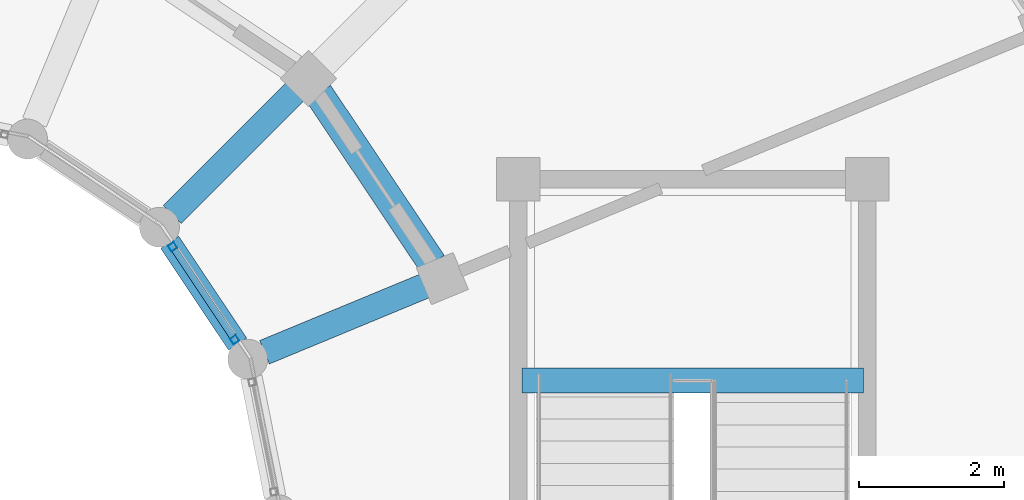
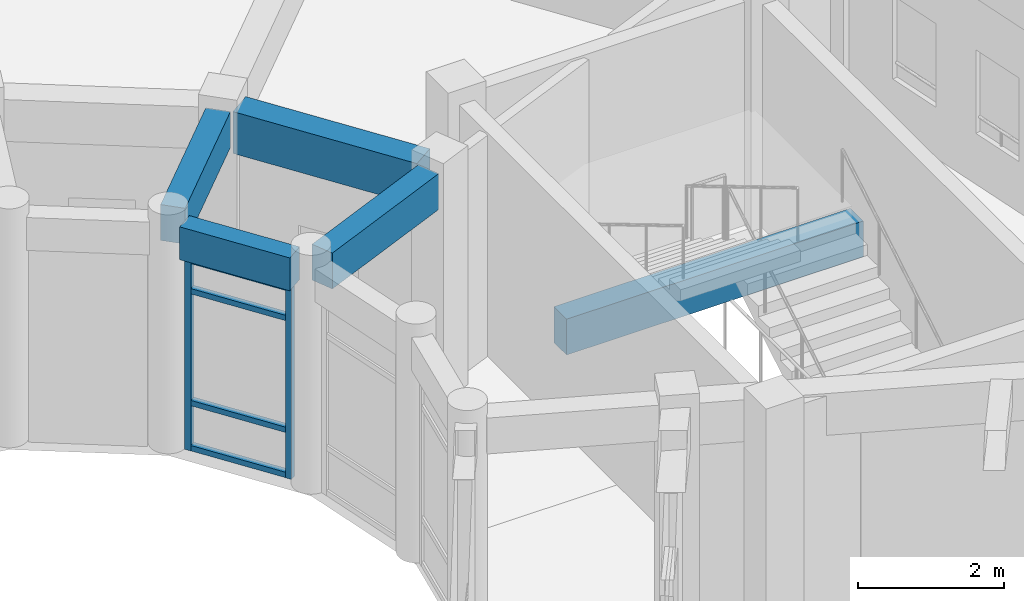
# One storey, part 15 of 112: 6 members, 5 beams, 1 element without a shape of its own.
"""IFC4 building model written with IfcOpenShell, lengths in metres."""

import ifcopenshell
import ifcopenshell.guid

model = None  # the IFC model being written
_history = None  # IfcOwnerHistory: only IFC2X3 demands one
_inside = {}  # id of a spatial element -> (the spatial element, [elements in it])
_under = {}  # id of a project, library or spatial element -> (it, [spatial elements below it])
_declared = {}  # id of a project -> (the project, [libraries it declares])
_typed = {}  # id of a type object -> (the type object, [elements of that type])
_made_of = {}  # id of a material, layer set ... -> (it, [elements and type objects made of it])


def new_model(schema):
    """Start an empty IFC model of exactly this schema.

    Asked for "IFC4X3", IfcOpenShell would pick the latest addendum, in which some entities
    have other attributes; the version numbers below select the first issue.
    IFC2X3 requires an IfcOwnerHistory on every rooted entity: one is made here for all.
    """
    global model, _history
    if schema == "IFC4X3":
        model = ifcopenshell.file(schema_version=(4, 3, 0, 0))
    else:
        model = ifcopenshell.file(schema=schema)
    _inside.clear()
    _under.clear()
    _declared.clear()
    _typed.clear()
    _made_of.clear()
    _history = None
    if model.schema == "IFC2X3":
        org = make("IfcOrganization", Name="unknown")
        user = make(
            "IfcPersonAndOrganization",
            ThePerson=make("IfcPerson", FamilyName="unknown"),
            TheOrganization=org,
        )
        app = make(
            "IfcApplication",
            ApplicationDeveloper=org,
            Version="unknown",
            ApplicationFullName="unknown",
            ApplicationIdentifier="unknown",
        )
        _history = make(
            "IfcOwnerHistory",
            OwningUser=user,
            OwningApplication=app,
            ChangeAction="ADDED",
            CreationDate=0,
        )
    return model


def make(cls, **values):
    """One entity of the class cls with the attributes given. An attribute that is None is left unset."""
    return model.create_entity(
        cls, **{name: value for name, value in values.items() if value is not None}
    )


def rooted(cls, **values):
    """An entity with a GlobalId (a new one), such as an element, a storey or a relation."""
    return make(cls, GlobalId=ifcopenshell.guid.new(), OwnerHistory=_history, **values)


def si_unit(unit_type, name, prefix=None):
    """IfcSIUnit, for example si_unit("LENGTHUNIT", "METRE", prefix="MILLI")."""
    return make("IfcSIUnit", UnitType=unit_type, Prefix=prefix, Name=name)


def assignment(units):
    """IfcUnitAssignment: the units of a project."""
    return None if units is None else make("IfcUnitAssignment", Units=units)


def point(xyz):
    """IfcCartesianPoint."""
    return None if xyz is None else make("IfcCartesianPoint", Coordinates=xyz)


def direction(xyz):
    """IfcDirection."""
    return None if xyz is None else make("IfcDirection", DirectionRatios=xyz)


def frame(location, z_axis=None, x_axis=None):
    """IfcAxis2Placement3D, a coordinate frame: its origin and axes. An axis left out is left unset."""
    return make(
        "IfcAxis2Placement3D",
        Location=point(location),
        Axis=direction(z_axis),
        RefDirection=direction(x_axis),
    )


def frame_2d(location, x_axis=None):
    """IfcAxis2Placement2D, a coordinate frame in the plane: its origin and x axis."""
    return make(
        "IfcAxis2Placement2D", Location=point(location), RefDirection=direction(x_axis)
    )


def origin():
    """The frame at (0, 0, 0) with its axes left unset."""
    return frame((0.0, 0.0, 0.0))


def origin_2d():
    """The frame at (0, 0) in the plane with its x axis left unset."""
    return frame_2d((0.0, 0.0))


def place(relative_to, where):
    """IfcLocalPlacement: puts the frame where relative to a parent placement (None: the world)."""
    return make(
        "IfcLocalPlacement", PlacementRelTo=relative_to, RelativePlacement=where
    )


def context(
    kind, dimensions, precision=None, world=None, true_north=None, identifier=None
):
    """IfcGeometricRepresentationContext, for example the 3D "Model" context."""
    return make(
        "IfcGeometricRepresentationContext",
        ContextIdentifier=identifier,
        ContextType=kind,
        CoordinateSpaceDimension=dimensions,
        Precision=precision,
        WorldCoordinateSystem=world,
        TrueNorth=true_north,
    )


def subcontext(parent, identifier, kind, view, scale=None):
    """IfcGeometricRepresentationSubContext, for example "Body" below "Model"."""
    return make(
        "IfcGeometricRepresentationSubContext",
        ContextIdentifier=identifier,
        ContextType=kind,
        ParentContext=parent,
        TargetScale=scale,
        TargetView=view,
    )


def project(units=None, contexts=None):
    """IfcProject with its units and contexts."""
    return rooted(
        "IfcProject",
        Name="project",
        RepresentationContexts=contexts,
        UnitsInContext=assignment(units),
    )


def spatial(cls, under=None, at=None, **own):
    """A site, building, storey or space (cls), placed at a placement, below another one or the project."""
    s = rooted(cls, ObjectPlacement=at, **own)
    if under is not None:
        _under.setdefault(under.id(), (under, []))[1].append(s)
    return s


def profile(cls, at=None, kind="AREA", **sizes):
    """A parametric profile (cls). Its sizes go by their IFC names, for example OverallWidth=200.0."""
    return make(cls, ProfileType=kind, Position=at, **sizes)


def rectangle(**sizes):
    """IfcRectangleProfileDef."""
    return profile("IfcRectangleProfileDef", **sizes)


def hollow_rectangle(**sizes):
    """IfcRectangleHollowProfileDef."""
    return profile("IfcRectangleHollowProfileDef", **sizes)


def extrude(swept, where, along, depth):
    """IfcExtrudedAreaSolid: the profile swept, set in the frame where, extruded along a direction by depth."""
    return make(
        "IfcExtrudedAreaSolid",
        SweptArea=swept,
        Position=where,
        ExtrudedDirection=direction(along),
        Depth=depth,
    )


def shape(context_of_items, identifier, shape_type, items):
    """IfcShapeRepresentation: the items that make up one representation, for example the "Body"."""
    return make(
        "IfcShapeRepresentation",
        ContextOfItems=context_of_items,
        RepresentationIdentifier=identifier,
        RepresentationType=shape_type,
        Items=items,
    )


def material(Name=None, Category=None):
    """IfcMaterial."""
    return make("IfcMaterial", Name=Name, Category=Category)


def material_profile(
    of_material, cross_section, Name=None, Category=None, Priority=None
):
    """IfcMaterialProfile: a cross section and its material."""
    return make(
        "IfcMaterialProfile",
        Name=Name,
        Material=of_material,
        Profile=cross_section,
        Priority=Priority,
        Category=Category,
    )


def profile_set(profiles, Name=None, composite=None):
    """IfcMaterialProfileSet."""
    return make(
        "IfcMaterialProfileSet",
        Name=Name,
        MaterialProfiles=profiles,
        CompositeProfile=composite,
    )


def made_of(thing, what):
    """Note that an element or type object is made of a material, layer set ...; save() writes the relation."""
    if what is not None:
        _made_of.setdefault(what.id(), (what, []))[1].append(thing)
    return thing


def type_object(cls, material=None, **own):
    """A type object (cls), such as IfcWallType, which elements share."""
    return made_of(rooted(cls, **own), material)


def element(
    cls,
    number,
    at=None,
    inside=None,
    cuts=None,
    type_object=None,
    material=None,
    context=None,
    identifier="Body",
    shape_type=None,
    held_by="IfcProductDefinitionShape",
    body=None,
    shapes=None,
    **own,
):
    """One element of the class cls, such as IfcWall. Its Tag is "e" and its number.

    at: its placement. inside: the storey or other place that contains it. cuts: it is an
    opening in that element (IfcRelVoidsElement). A single representation is given by context,
    identifier, shape_type and body (its items); several are given by shapes. held_by: the class
    of the entity that holds the representations. save() writes the other relations.
    """
    e = rooted(cls, Tag="e%d" % number, ObjectPlacement=at, **own)
    if body is not None:
        shapes = [shape(context, identifier, shape_type, body)]
    if shapes is not None:
        e.Representation = make(held_by, Representations=shapes)
    if inside is not None:
        _inside.setdefault(inside.id(), (inside, []))[1].append(e)
    if cuts is not None:
        rooted(
            "IfcRelVoidsElement", RelatingBuildingElement=cuts, RelatedOpeningElement=e
        )
    if type_object is not None:
        _typed.setdefault(type_object.id(), (type_object, []))[1].append(e)
    return made_of(e, material)


def aggregate(whole, parts):
    """IfcRelAggregates: a whole, such as a stair, and the parts it consists of."""
    return rooted("IfcRelAggregates", RelatingObject=whole, RelatedObjects=parts)


def save(model, path):
    """Write the relations noted so far, then the file.

    IfcRelAggregates (storeys below a building ...), IfcRelContainedInSpatialStructure (elements
    in a storey), IfcRelDefinesByType, IfcRelAssociatesMaterial and IfcRelDeclares: one each for
    every whole, place, type object, material and project.
    """
    for whole, parts in _under.values():
        aggregate(whole, parts)
    for where, things in _inside.values():
        rooted(
            "IfcRelContainedInSpatialStructure",
            RelatedElements=things,
            RelatingStructure=where,
        )
    for kind, things in _typed.values():
        rooted("IfcRelDefinesByType", RelatedObjects=things, RelatingType=kind)
    for what, things in _made_of.values():
        rooted("IfcRelAssociatesMaterial", RelatedObjects=things, RelatingMaterial=what)
    for by, libraries in _declared.values():
        rooted("IfcRelDeclares", RelatingContext=by, RelatedDefinitions=libraries)
    model.write(path)


model = new_model("IFC4")

# Units and contexts
model_context = context("Model", 3, precision=1e-05, world=origin(), true_north=direction((0.0, 1.0)))
body_context = subcontext(model_context, "Body", "Model", "MODEL_VIEW")
ifc_project = project(units=[si_unit("LENGTHUNIT", "METRE"), si_unit("AREAUNIT", "SQUARE_METRE"), si_unit("VOLUMEUNIT", "CUBIC_METRE"), si_unit("PLANEANGLEUNIT", "RADIAN"), si_unit("MASSUNIT", "GRAM", prefix="KILO")], contexts=[model_context])

# Site, building, storey
site_placement = place(None, origin())
site = spatial("IfcSite", under=ifc_project, at=site_placement, CompositionType="ELEMENT")
building_placement = place(site_placement, origin())
building = spatial("IfcBuilding", under=site, at=building_placement, Name="Celadon Cloister-Ring School", CompositionType="ELEMENT")
storey_placement = place(building_placement, frame((0.0, 0.0, 8.5)))
storey = spatial("IfcBuildingStorey", under=building, at=storey_placement, Name="L02", CompositionType="ELEMENT", Elevation=8.5)

# Beams
ifc_material_1 = material(Name="Concrete C35/45", Category="concrete")
ifc_material_profile_1 = material_profile(ifc_material_1, rectangle(XDim=0.35009765625, YDim=0.60009765625, at=origin_2d()), Name="RC350X600")
ifc_profile_set_1 = profile_set([ifc_material_profile_1], Name="Concrete C35/45")
beam_type_1 = type_object("IfcBeamType", Name="BT-02", PredefinedType="BEAM", material=ifc_profile_set_1)
beam_1_placement = place(storey_placement, frame((27.822021484375, 23.156982421875, 3.47998046875), z_axis=(-0.923932522988, -0.382555476978, 0.0), x_axis=(0.382555476978, -0.923932522988, 0.0)))
element("IfcBeam", 1, at=beam_1_placement, inside=storey, type_object=beam_type_1, Name="Beam 0998", PredefinedType="BEAM", context=body_context, shape_type="SweptSolid", body=[
    extrude(rectangle(XDim=0.35009765625, YDim=0.60009765625, at=origin_2d()), origin(), (0.0, 0.0, 1.0), 2.399658203125),
])
beam_2_placement = place(storey_placement, frame((26.032958984375, 25.8330078125, 3.47998046875), z_axis=(-0.707106781187, -0.707106781187, 0.0), x_axis=(0.707106781187, -0.707106781187, 0.0)))
element("IfcBeam", 2, at=beam_2_placement, inside=storey, type_object=beam_type_1, Name="Beam 1000", PredefinedType="BEAM", context=body_context, shape_type="SweptSolid", body=[
    extrude(rectangle(XDim=0.35009765625, YDim=0.60009765625, at=origin_2d()), origin(), (0.0, 0.0, 1.0), 2.398681640625),
])
beam_3_placement = place(storey_placement, frame((29.14990234375, 21.85009765625, 1.39990234375), z_axis=(1.0, 0.0, 0.0), x_axis=(0.0, 1.0, 0.0)))
element("IfcBeam", 3, at=beam_3_placement, inside=storey, type_object=beam_type_1, Name="Stair Landing Beam 1736", PredefinedType="BEAM", context=body_context, shape_type="SweptSolid", body=[
    extrude(rectangle(XDim=0.35009765625, YDim=0.60009765625, at=origin_2d()), origin(), (0.0, 0.0, 1.0), 4.7001953125),
])

# Curtain wall, members
ifc_material_2 = material(Name="Aluminium EN AW-6063 T6", Category="aluminium")
curtain_wall_type = type_object("IfcCurtainWallType", Name="CW-04", PredefinedType="USERDEFINED", material=ifc_material_2)
curtain_wall_placement = place(storey_placement, origin())
curtain_wall = element("IfcCurtainWall", 4, at=curtain_wall_placement, inside=storey, type_object=curtain_wall_type, Name="Curtain Wall 0152", ObjectType="CURTAIN WALL", PredefinedType="USERDEFINED")
ifc_material_3 = material(Name="Aluminium EN AW-6063 T6", Category="aluminium")
ifc_material_profile_2 = material_profile(ifc_material_3, hollow_rectangle(XDim=0.094970703125, YDim=0.094970703125, WallThickness=0.00390625, at=origin_2d()), Name="RHS95X95X4")
ifc_profile_set_2 = profile_set([ifc_material_profile_2], Name="Aluminium EN AW-6063 T6")
member_type_1 = type_object("IfcMemberType", Name="CM-02", PredefinedType="MULLION", material=ifc_profile_set_2)
member_1_placement = place(storey_placement, frame((25.194580078125, 22.411376953125, 0.0), z_axis=(0.0, 0.0, 1.0), x_axis=(-0.831485091394, -0.555547066224, 0.0)))
member_1 = element("IfcMember", 5, at=member_1_placement, type_object=member_type_1, Name="CW-04 mullion 1", PredefinedType="MULLION", context=body_context, shape_type="SweptSolid", body=[
    extrude(hollow_rectangle(XDim=0.094970703125, YDim=0.094970703125, WallThickness=0.00390625, at=origin_2d()), origin(), (0.0, 0.0, 1.0), 3.221923828125),
])
member_2_placement = place(storey_placement, frame((24.33935546875, 23.69140625, 0.0), z_axis=(0.0, 0.0, 1.0), x_axis=(-0.831485091394, -0.555547066224, 0.0)))
member_2 = element("IfcMember", 6, at=member_2_placement, type_object=member_type_1, Name="CW-04 mullion 2", PredefinedType="MULLION", context=body_context, shape_type="SweptSolid", body=[
    extrude(hollow_rectangle(XDim=0.094970703125, YDim=0.094970703125, WallThickness=0.00390625, at=origin_2d()), origin(), (0.0, 0.0, 1.0), 3.221923828125),
])
ifc_material_4 = material(Name="Aluminium EN AW-6063 T6", Category="aluminium")
ifc_material_profile_3 = material_profile(ifc_material_4, hollow_rectangle(XDim=0.090087890625, YDim=0.090087890625, WallThickness=0.00390625, at=origin_2d()), Name="RHS90X90X4")
ifc_profile_set_3 = profile_set([ifc_material_profile_3], Name="Aluminium EN AW-6063 T6")
member_type_2 = type_object("IfcMemberType", Name="CTM-02", PredefinedType="USERDEFINED", material=ifc_profile_set_3)
member_3_placement = place(storey_placement, frame((25.168212890625, 22.450927734375, 0.044921875), z_axis=(-0.555518951009, 0.831503875559, 0.0), x_axis=(-0.831503875559, -0.555518951009, 0.0)))
member_3 = element("IfcMember", 7, at=member_3_placement, type_object=member_type_2, Name="CW-04 transom 1.1", ObjectType="TRANSOM", PredefinedType="USERDEFINED", context=body_context, shape_type="SweptSolid", body=[
    extrude(hollow_rectangle(XDim=0.090087890625, YDim=0.090087890625, WallThickness=0.00390625, at=origin_2d()), origin(), (0.0, 0.0, 1.0), 1.444580078125),
])
member_4_placement = place(storey_placement, frame((25.168212890625, 22.450927734375, 0.800048828125), z_axis=(-0.555518951009, 0.831503875559, 0.0), x_axis=(-0.831503875559, -0.555518951009, 0.0)))
member_4 = element("IfcMember", 8, at=member_4_placement, type_object=member_type_2, Name="CW-04 transom 1.2", ObjectType="TRANSOM", PredefinedType="USERDEFINED", context=body_context, shape_type="SweptSolid", body=[
    extrude(hollow_rectangle(XDim=0.090087890625, YDim=0.090087890625, WallThickness=0.00390625, at=origin_2d()), origin(), (0.0, 0.0, 1.0), 1.444580078125),
])
member_5_placement = place(storey_placement, frame((25.168212890625, 22.450927734375, 2.672119140625), z_axis=(-0.555518951009, 0.831503875559, 0.0), x_axis=(-0.831503875559, -0.555518951009, 0.0)))
member_5 = element("IfcMember", 9, at=member_5_placement, type_object=member_type_2, Name="CW-04 transom 1.3", ObjectType="TRANSOM", PredefinedType="USERDEFINED", context=body_context, shape_type="SweptSolid", body=[
    extrude(hollow_rectangle(XDim=0.090087890625, YDim=0.090087890625, WallThickness=0.00390625, at=origin_2d()), origin(), (0.0, 0.0, 1.0), 1.444580078125),
])
member_6_placement = place(storey_placement, frame((25.168212890625, 22.450927734375, 3.177001953125), z_axis=(-0.555518951009, 0.831503875559, 0.0), x_axis=(-0.831503875559, -0.555518951009, 0.0)))
member_6 = element("IfcMember", 10, at=member_6_placement, type_object=member_type_2, Name="CW-04 transom 1.4", ObjectType="TRANSOM", PredefinedType="USERDEFINED", context=body_context, shape_type="SweptSolid", body=[
    extrude(hollow_rectangle(XDim=0.090087890625, YDim=0.090087890625, WallThickness=0.00390625, at=origin_2d()), origin(), (0.0, 0.0, 1.0), 1.444580078125),
])
aggregate(curtain_wall, [member_1, member_2, member_3, member_4, member_5, member_6])

# Beams
ifc_material_5 = material(Name="Concrete C35/45", Category="concrete")
ifc_material_profile_4 = material_profile(ifc_material_5, rectangle(XDim=0.39990234375, YDim=0.699951171875, at=origin_2d()), Name="RC400X700")
ifc_profile_set_4 = profile_set([ifc_material_profile_4], Name="Concrete C35/45")
beam_type_2 = type_object("IfcBeamType", Name="GT-03", PredefinedType="USERDEFINED", material=ifc_profile_set_4)
beam_4_placement = place(storey_placement, frame((27.9140625, 23.4609375, 3.429931640625), z_axis=(-0.555740149771, 0.831356052442, 0.0), x_axis=(-0.831356052442, -0.555740149771, 0.0)))
element("IfcBeam", 11, at=beam_4_placement, inside=storey, type_object=beam_type_2, Name="Beam 1025", ObjectType="GIRDER", PredefinedType="USERDEFINED", context=body_context, shape_type="SweptSolid", body=[
    extrude(rectangle(XDim=0.39990234375, YDim=0.699951171875, at=origin_2d()), origin(), (0.0, 0.0, 1.0), 2.81591796875),
])
ifc_material_6 = material(Name="Concrete C35/45", Category="concrete")
ifc_material_profile_5 = material_profile(ifc_material_6, rectangle(XDim=0.300048828125, YDim=0.550048828125, at=origin_2d()), Name="RC300X550")
ifc_profile_set_5 = profile_set([ifc_material_profile_5], Name="Concrete C35/45")
beam_type_3 = type_object("IfcBeamType", Name="SP-02", PredefinedType="SPANDREL", material=ifc_profile_set_5)
beam_5_placement = place(storey_placement, frame((25.235107421875, 22.35107421875, 3.5048828125), z_axis=(-0.555569328961, 0.831470216374, 0.0), x_axis=(-0.831470216374, -0.555569328961, 0.0)))
element("IfcBeam", 12, at=beam_5_placement, inside=storey, type_object=beam_type_3, Name="Beam 1026", PredefinedType="SPANDREL", context=body_context, shape_type="SweptSolid", body=[
    extrude(rectangle(XDim=0.300048828125, YDim=0.550048828125, at=origin_2d()), origin(), (0.0, 0.0, 1.0), 1.684814453125),
])

save(model, "model.ifc")
